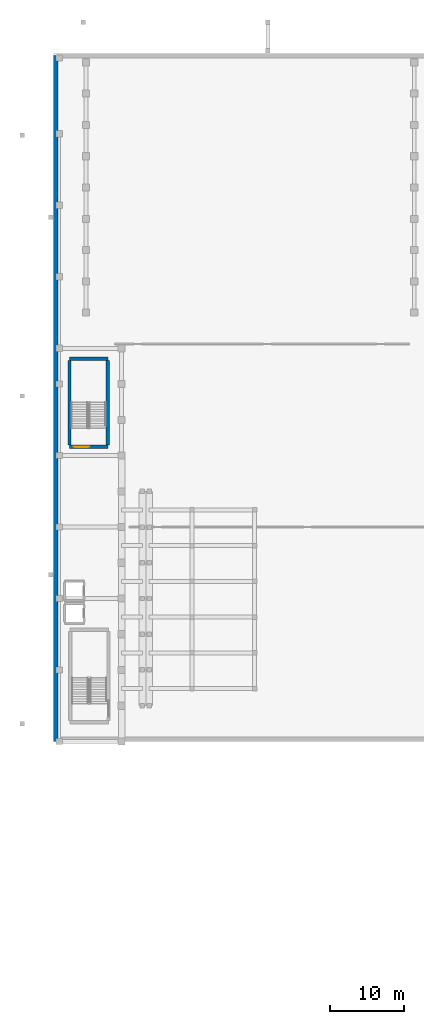
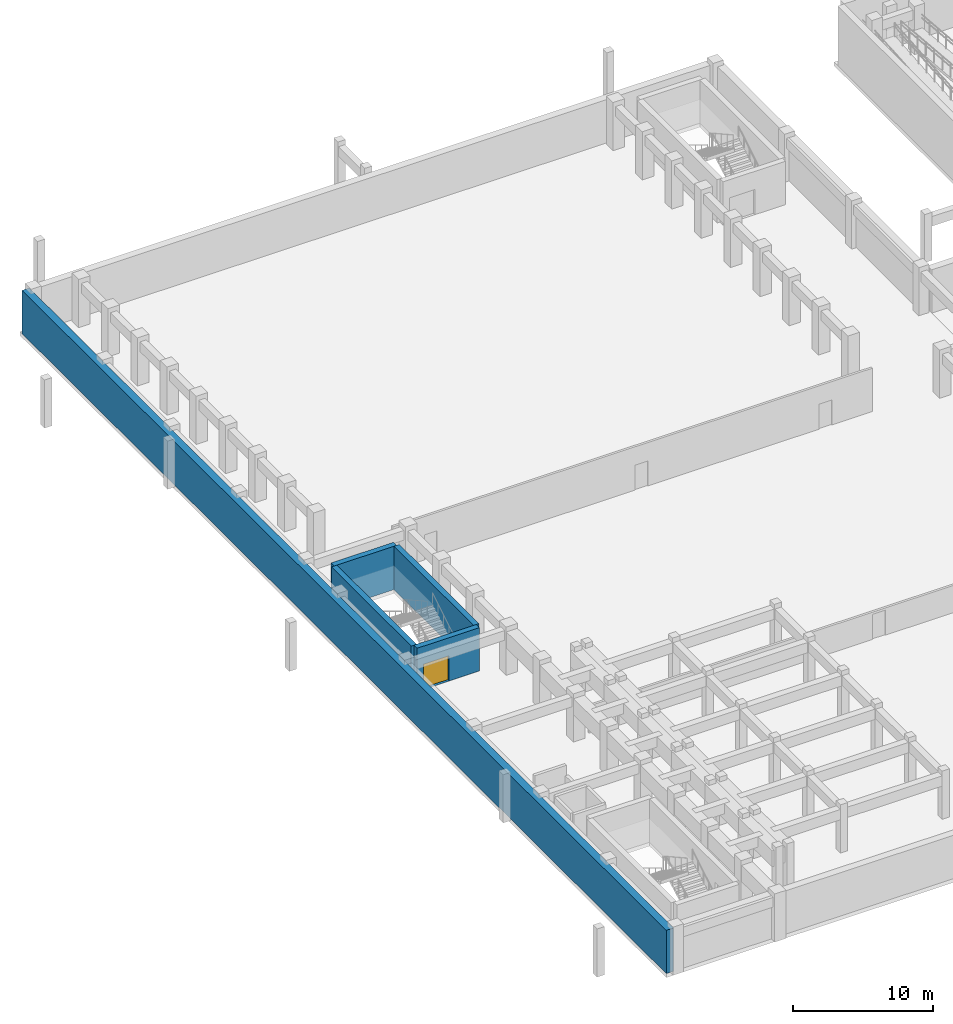
# One storey, part 12 of 39: 5 walls, 1 door, 1 opening.
"""IFC4 building model written with IfcOpenShell, lengths in metres."""

from ifc_helpers import new_model, si_unit, direction, frame, frame_2d, origin, place, context, subcontext, project, spatial, rectangle, extrude, material, layer, layer_set, type_object, element, fill, save


model = new_model("IFC4")

# Units and contexts
model_context = context("Model", 3, precision=1e-05, world=origin(), true_north=direction((0.0, 1.0)))
body_context = subcontext(model_context, "Body", "Model", "MODEL_VIEW")
ifc_project = project(units=[si_unit("LENGTHUNIT", "METRE"), si_unit("AREAUNIT", "SQUARE_METRE"), si_unit("VOLUMEUNIT", "CUBIC_METRE"), si_unit("PLANEANGLEUNIT", "RADIAN"), si_unit("MASSUNIT", "GRAM", prefix="KILO")], contexts=[model_context])

# Site, building, storey
site_placement = place(None, origin())
site = spatial("IfcSite", under=ifc_project, at=site_placement, CompositionType="ELEMENT")
building_placement = place(site_placement, origin())
building = spatial("IfcBuilding", under=site, at=building_placement, Name="Nakhvara Creek Congress Hotel", CompositionType="ELEMENT")
storey_placement = place(building_placement, frame((0.0, 0.0, -4.199951171875)))
storey = spatial("IfcBuildingStorey", under=building, at=storey_placement, Name="B1", CompositionType="ELEMENT", Elevation=-4.199951171875)

# Wall, opening, door
ifc_material_1 = material(Name="Concrete C50/60", Category="concrete")
ifc_layer_1 = layer(ifc_material_1, 0.449951171875)
ifc_layer_set_1 = layer_set([ifc_layer_1], Name="Concrete C50/60")
wall_type_1 = type_object("IfcWallType", Name="W-CORE-450", PredefinedType="SHEAR", material=ifc_layer_set_1)
wall_1_placement = place(storey_placement, frame((2.14990234375, 73.179931640625, 0.0), z_axis=(0.0, 0.0, 1.0), x_axis=(1.0, 0.0, 0.0)))
wall_1 = element("IfcWall", 1, at=wall_1_placement, inside=storey, type_object=wall_type_1, Name="Core Shear Wall WS02-CWALL-B1-0851", PredefinedType="SHEAR", context=body_context, shape_type="SweptSolid", body=[
    extrude(rectangle(XDim=5.150146484375, YDim=0.449951171875, at=frame_2d((2.5751953125, 0.0))), origin(), (0.0, 0.0, 1.0), 3.780029296875),
])
opening_placement = place(wall_1_placement, frame((0.550048828125, 0.0, 0.0)))
opening = element("IfcOpeningElement", 2, at=opening_placement, cuts=wall_1, Name="Opening FD19", PredefinedType="OPENING", context=body_context, shape_type="SweptSolid", body=[
    extrude(rectangle(XDim=2.10009765625, YDim=2.199951171875, at=frame_2d((1.050048828125, 1.10009765625))), frame((0.0, 0.23681640625, 0.0), z_axis=(0.0, -1.0, 0.0), x_axis=(1.0, 0.0, 0.0)), (0.0, 0.0, 1.0), 0.473876953125),
])
ifc_material_2 = material(Name="Galvanised steel acoustic fire door", Category="steel")
door_type = type_object("IfcDoorType", Name="DT-STAIR-220", OperationType="DOUBLE_DOOR_SINGLE_SWING", PredefinedType="DOOR", material=ifc_material_2)
door_placement = place(opening_placement, frame((2.10009765625, 0.0, 0.0), z_axis=(0.0, 0.0, 1.0), x_axis=(-1.0, 0.0, 0.0)))
door = element("IfcDoor", 3, at=door_placement, inside=storey, type_object=door_type, Name="Stair Exit Door ST07-B1", OperationType="DOUBLE_DOOR_SINGLE_SWING", OverallHeight=2.199951171875, OverallWidth=2.10009765625, PredefinedType="DOOR", context=body_context, shape_type="SweptSolid", body=[
    extrude(rectangle(XDim=2.10009765625, YDim=2.199951171875, at=frame_2d((1.050048828125, 1.10009765625))), frame((0.0, 0.02490234375, 0.0), z_axis=(0.0, -1.0, 0.0), x_axis=(1.0, 0.0, 0.0)), (0.0, 0.0, 1.0), 0.050048828125),
])
fill(opening, door)

# Walls
wall_2_placement = place(storey_placement, frame((2.14990234375, 85.02001953125, 0.0), z_axis=(0.0, 0.0, 1.0), x_axis=(1.0, 0.0, 0.0)))
element("IfcWall", 4, at=wall_2_placement, inside=storey, type_object=wall_type_1, Name="Core Shear Wall WS02-CWALL-B1-0852", PredefinedType="SHEAR", context=body_context, shape_type="SweptSolid", body=[
    extrude(rectangle(XDim=5.150146484375, YDim=0.449951171875, at=frame_2d((2.5751953125, 0.0))), origin(), (0.0, 0.0, 1.0), 3.780029296875),
])
for number, where, z_axis, x_axis, name in (
    (5, (2.14990234375, 73.39990234375, 0.0), (0.0, 0.0, 1.0), (0.0, 1.0, 0.0), "Core Shear Wall WS02-CWALL-B1-0853"),
    (6, (7.300048828125, 73.39990234375, 0.0), (0.0, 0.0, 1.0), (0.0, 1.0, 0.0), "Core Shear Wall WS02-CWALL-B1-0854"),
):
    element("IfcWall", number, at=place(storey_placement, frame(where, z_axis=z_axis, x_axis=x_axis)), inside=storey, type_object=wall_type_1, Name=name, PredefinedType="SHEAR", context=body_context, shape_type="SweptSolid", body=[
        extrude(rectangle(XDim=11.400146484375, YDim=0.449951171875, at=frame_2d((5.7001953125, 0.0))), origin(), (0.0, 0.0, 1.0), 3.780029296875),
    ])
ifc_material_3 = material(Name="Concrete C40/50", Category="concrete")
ifc_layer_2 = layer(ifc_material_3, 0.60009765625)
ifc_layer_set_2 = layer_set([ifc_layer_2], Name="Concrete C40/50")
wall_type_2 = type_object("IfcWallType", Name="W-RET-600", PredefinedType="USERDEFINED", material=ifc_layer_set_2)
wall_3_placement = place(storey_placement, frame((0.300048828125, 33.60009765625, 0.0), z_axis=(0.0, 0.0, 1.0), x_axis=(0.0, 1.0, 0.0)))
element("IfcWall", 7, at=wall_3_placement, inside=storey, type_object=wall_type_2, Name="Exterior Wall WR01-EW-B1-0011", ObjectType="RETAININGWALL", PredefinedType="USERDEFINED", context=body_context, shape_type="SweptSolid", body=[
    extrude(rectangle(XDim=92.099853515625, YDim=0.60009765625, at=frame_2d((46.0498046875, 0.0))), origin(), (0.0, 0.0, 1.0), 3.780029296875),
])

save(model, "model.ifc")
